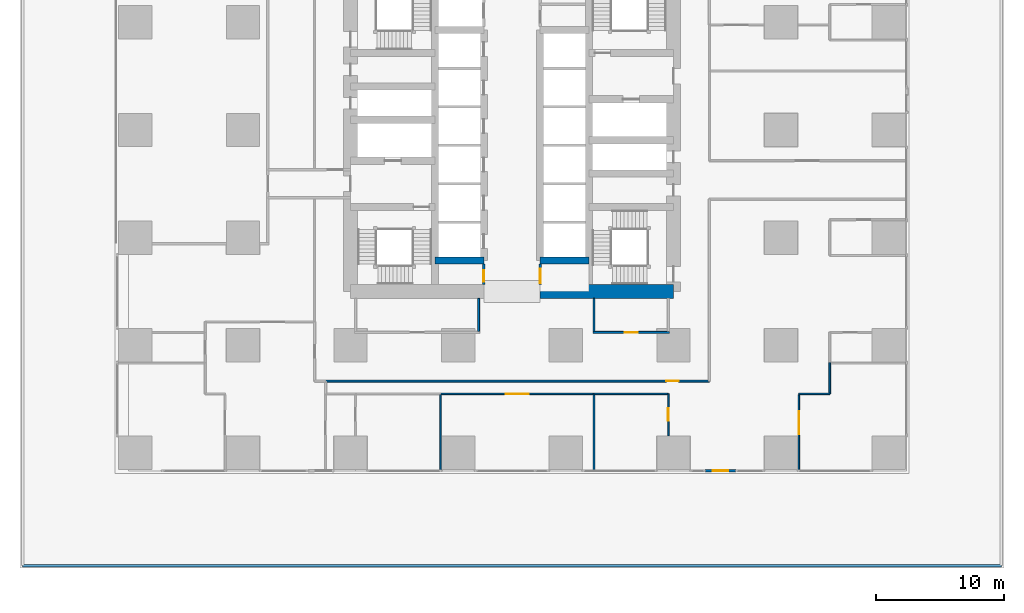
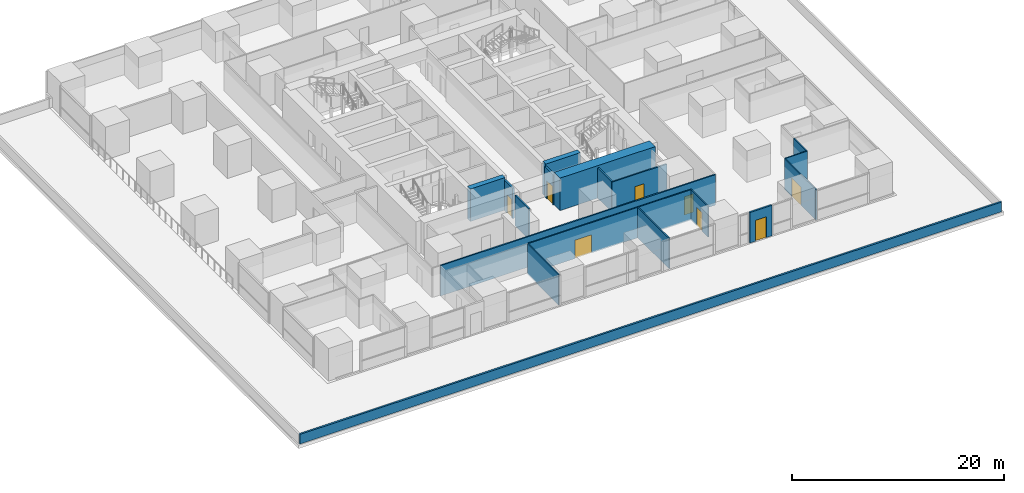
# One storey, part 21 of 35: 19 walls, 8 doors, 8 openings.
"""IFC4 building model written with IfcOpenShell, lengths in metres."""

from ifc_helpers import new_model, si_unit, direction, frame, frame_2d, origin, place, context, subcontext, project, spatial, rectangle, extrude, material, layer, layer_set, type_object, element, fill, save


model = new_model("IFC4")

# Units and contexts
model_context = context("Model", 3, precision=1e-05, world=origin(), true_north=direction((0.0, 1.0)))
body_context = subcontext(model_context, "Body", "Model", "MODEL_VIEW")
ifc_project = project(units=[si_unit("LENGTHUNIT", "METRE"), si_unit("AREAUNIT", "SQUARE_METRE"), si_unit("VOLUMEUNIT", "CUBIC_METRE"), si_unit("PLANEANGLEUNIT", "RADIAN"), si_unit("MASSUNIT", "GRAM", prefix="KILO")], contexts=[model_context])

# Site, building, storey
site_placement = place(None, origin())
site = spatial("IfcSite", under=ifc_project, at=site_placement, CompositionType="ELEMENT")
building_placement = place(site_placement, origin())
building = spatial("IfcBuilding", under=site, at=building_placement, Name="Rekha Terrace Tower", CompositionType="ELEMENT")
storey_placement = place(building_placement, frame((0.0, 0.0, 25.39990234375)))
storey = spatial("IfcBuildingStorey", under=building, at=storey_placement, Name="L05", CompositionType="ELEMENT", Elevation=25.39990234375)

# Walls
ifc_material_1 = material(Name="Concrete M70", Category="concrete")
ifc_layer_1 = layer(ifc_material_1, 0.550048828125)
ifc_layer_set_1 = layer_set([ifc_layer_1], Name="Concrete M70")
wall_type_1 = type_object("IfcWallType", Name="CI1 550 core internal shear wall", PredefinedType="SHEAR", material=ifc_layer_set_1)
for number, where, z_axis, x_axis, name in (
    (1, (31.800048828125, 23.39990234375, 0.0), (0.0, 0.0, 1.0), (1.0, 0.0, 0.0), "Core wall Y234W L05"),
    (2, (40.0, 23.39990234375, 0.0), (0.0, 0.0, 1.0), (1.0, 0.0, 0.0), "Core wall Y234E L05"),
):
    element("IfcWall", number, at=place(storey_placement, frame(where, z_axis=z_axis, x_axis=x_axis)), inside=storey, type_object=wall_type_1, Name=name, PredefinedType="SHEAR", context=body_context, shape_type="SweptSolid", body=[
        extrude(rectangle(XDim=3.800048828125, YDim=0.550048828125, at=frame_2d((1.89990234375, 0.0))), origin(), (0.0, 0.0, 1.0), 3.75),
    ])

# Wall, opening, door
ifc_material_2 = material(Name="Aluminium-faced insulated screen wall", Category="aluminium")
ifc_layer_2 = layer(ifc_material_2, 0.199951171875)
ifc_layer_set_2 = layer_set([ifc_layer_2], Name="Aluminium-faced insulated screen wall")
wall_type_2 = type_object("IfcWallType", Name="EW3 terrace door screen wall 200", PredefinedType="SOLIDWALL", material=ifc_layer_set_2)
wall_1_placement = place(storey_placement, frame((52.875, 7.0, 0.0), z_axis=(0.0, 0.0, 1.0), x_axis=(1.0, 0.0, 0.0)))
wall_1 = element("IfcWall", 3, at=wall_1_placement, inside=storey, type_object=wall_type_2, Name="Terrace door screen wall", PredefinedType="SOLIDWALL", context=body_context, shape_type="SweptSolid", body=[
    extrude(rectangle(XDim=2.39990234375, YDim=0.199951171875, at=frame_2d((1.199951171875, 0.0))), origin(), (0.0, 0.0, 1.0), 3.5),
])
opening_1_placement = place(wall_1_placement, frame((0.60009765625, 0.0, 0.0)))
opening_1 = element("IfcOpeningElement", 4, at=opening_1_placement, cuts=wall_1, Name="Opening ED4", PredefinedType="OPENING", context=body_context, shape_type="SweptSolid", body=[
    extrude(rectangle(XDim=1.199951171875, YDim=2.39990234375, at=frame_2d((0.60009765625, 1.199951171875))), frame((0.0, 0.10986328125, 0.0), z_axis=(0.0, -1.0, 0.0), x_axis=(1.0, 0.0, 0.0)), (0.0, 0.0, 1.0), 0.219970703125),
])
ifc_material_3 = material(Name="Aluminium framed laminated glass door", Category="aluminium")
door_type_1 = type_object("IfcDoorType", Name="ED4 glazed terrace door 1200 x 2400", OperationType="SINGLE_SWING_LEFT", PredefinedType="DOOR", material=ifc_material_3)
door_1_placement = place(opening_1_placement, origin())
door_1 = element("IfcDoor", 5, at=door_1_placement, inside=storey, type_object=door_type_1, Name="Terrace door", OperationType="SINGLE_SWING_LEFT", OverallHeight=2.39990234375, OverallWidth=1.199951171875, PredefinedType="DOOR", context=body_context, shape_type="SweptSolid", body=[
    extrude(rectangle(XDim=1.199951171875, YDim=2.39990234375, at=frame_2d((0.60009765625, 1.199951171875))), frame((0.0, 0.02490234375, 0.0), z_axis=(0.0, -1.0, 0.0), x_axis=(1.0, 0.0, 0.0)), (0.0, 0.0, 1.0), 0.050048828125),
])
fill(opening_1, door_1)

# Walls
ifc_material_4 = material(Name="Concrete M40", Category="concrete")
ifc_layer_3 = layer(ifc_material_4, 0.199951171875)
ifc_layer_set_3 = layer_set([ifc_layer_3], Name="Concrete M40")
wall_type_3 = type_object("IfcWallType", Name="PP1 parapet wall 200", PredefinedType="PARAPET", material=ifc_layer_set_3)
wall_2_placement = place(storey_placement, frame((-0.39990234375, -0.39990234375, 0.0), z_axis=(0.0, 0.0, 1.0), x_axis=(1.0, 0.0, 0.0)))
element("IfcWall", 6, at=wall_2_placement, inside=storey, type_object=wall_type_3, Name="Podium roof parapet", PredefinedType="PARAPET", context=body_context, shape_type="SweptSolid", body=[
    extrude(rectangle(XDim=76.39990234375, YDim=0.199951171875, at=frame_2d((38.199951171875, 0.0))), origin(), (0.0, 0.0, 1.0), 1.10009765625),
])
ifc_layer_4 = layer(ifc_material_1, 1.10009765625)
ifc_layer_set_4 = layer_set([ifc_layer_4], Name="Concrete M70")
wall_type_4 = type_object("IfcWallType", Name="SW1 1100 core outer shear wall", PredefinedType="SHEAR", material=ifc_layer_set_4)
wall_3_placement = place(storey_placement, frame((40.0, 21.0, 0.0), z_axis=(0.0, 0.0, 1.0), x_axis=(1.0, 0.0, 0.0)))
element("IfcWall", 7, at=wall_3_placement, inside=storey, type_object=wall_type_4, Name="Core wall S2 L05", PredefinedType="SHEAR", context=body_context, shape_type="SweptSolid", body=[
    extrude(rectangle(XDim=10.39990234375, YDim=1.10009765625, at=frame_2d((5.199951171875, 0.0))), origin(), (0.0, 0.0, 1.0), 3.75),
])
ifc_material_5 = material(Name="Concrete block masonry, 1 hour", Category="masonry")
ifc_layer_5 = layer(ifc_material_5, 0.14990234375)
ifc_layer_set_5 = layer_set([ifc_layer_5], Name="Concrete block masonry, 1 hour")
wall_type_5 = type_object("IfcWallType", Name="WP2 150 tenancy partition", PredefinedType="PARTITIONING", material=ifc_layer_set_5)
wall_4_placement = place(storey_placement, frame((35.199951171875, 17.875, 0.0), z_axis=(0.0, 0.0, 1.0), x_axis=(0.0, 1.0, 0.0)))
element("IfcWall", 8, at=wall_4_placement, inside=storey, type_object=wall_type_5, Name="Men's WC wall L05", PredefinedType="PARTITIONING", context=body_context, shape_type="SweptSolid", body=[
    extrude(rectangle(XDim=2.574951171875, YDim=0.14990234375, at=frame_2d((1.28759765625, 0.0))), origin(), (0.0, 0.0, 1.0), 3.5),
])

# Wall, opening, door
wall_5_placement = place(storey_placement, frame((44.125, 17.800048828125, 0.0), z_axis=(0.0, 0.0, 1.0), x_axis=(1.0, 0.0, 0.0)))
wall_5 = element("IfcWall", 9, at=wall_5_placement, inside=storey, type_object=wall_type_5, Name="Men's WC wall L05", PredefinedType="PARTITIONING", context=body_context, shape_type="SweptSolid", body=[
    extrude(rectangle(XDim=5.949951171875, YDim=0.14990234375, at=frame_2d((2.97509765625, 0.0))), origin(), (0.0, 0.0, 1.0), 3.5),
])
opening_2_placement = place(wall_5_placement, frame((2.47509765625, 0.0, 0.0)))
opening_2 = element("IfcOpeningElement", 10, at=opening_2_placement, cuts=wall_5, Name="Opening D3", PredefinedType="OPENING", context=body_context, shape_type="SweptSolid", body=[
    extrude(rectangle(XDim=1.0, YDim=2.10009765625, at=frame_2d((0.5, 1.050048828125))), frame((0.0, 0.0849609375, 0.0), z_axis=(0.0, -1.0, 0.0), x_axis=(1.0, 0.0, 0.0)), (0.0, 0.0, 1.0), 0.169921875),
])
ifc_material_6 = material(Name="Laminated timber fire door", Category="wood")
door_type_2 = type_object("IfcDoorType", Name="D3 1000x2100 WC door", OperationType="SINGLE_SWING_LEFT", PredefinedType="DOOR", material=ifc_material_6)
door_2_placement = place(opening_2_placement, origin())
door_2 = element("IfcDoor", 11, at=door_2_placement, inside=storey, type_object=door_type_2, Name="Door men's wc L05", OperationType="SINGLE_SWING_LEFT", OverallHeight=2.10009765625, OverallWidth=1.0, PredefinedType="DOOR", context=body_context, shape_type="SweptSolid", body=[
    extrude(rectangle(XDim=1.0, YDim=2.10009765625, at=frame_2d((0.5, 1.050048828125))), frame((0.0, 0.02490234375, 0.0), z_axis=(0.0, -1.0, 0.0), x_axis=(1.0, 0.0, 0.0)), (0.0, 0.0, 1.0), 0.050048828125),
])
fill(opening_2, door_2)

# Wall
wall_6_placement = place(storey_placement, frame((44.199951171875, 17.875, 0.0), z_axis=(0.0, 0.0, 1.0), x_axis=(0.0, 1.0, 0.0)))
element("IfcWall", 12, at=wall_6_placement, inside=storey, type_object=wall_type_5, Name="Men's WC wall L05", PredefinedType="PARTITIONING", context=body_context, shape_type="SweptSolid", body=[
    extrude(rectangle(XDim=2.574951171875, YDim=0.14990234375, at=frame_2d((1.28759765625, 0.0))), origin(), (0.0, 0.0, 1.0), 3.5),
])

# Wall, opening, door
wall_7_placement = place(storey_placement, frame((23.2509765625, 14.0, 0.0), z_axis=(0.0, 0.0, 1.0), x_axis=(1.0, 0.0, 0.0)))
wall_7 = element("IfcWall", 13, at=wall_7_placement, inside=storey, type_object=wall_type_5, Name="Partition L05-O1", PredefinedType="PARTITIONING", context=body_context, shape_type="SweptSolid", body=[
    extrude(rectangle(XDim=29.948974609375, YDim=0.14990234375, at=frame_2d((14.974609375, 0.0))), origin(), (0.0, 0.0, 1.0), 3.5),
])
opening_3_placement = place(wall_7_placement, frame((26.574951171875, 0.0, 0.0)))
opening_3 = element("IfcOpeningElement", 14, at=opening_3_placement, cuts=wall_7, Name="Opening D9", PredefinedType="OPENING", context=body_context, shape_type="SweptSolid", body=[
    extrude(rectangle(XDim=1.0, YDim=2.10009765625, at=frame_2d((0.5, 1.050048828125))), frame((0.0, 0.0849609375, 0.0), z_axis=(0.0, -1.0, 0.0), x_axis=(1.0, 0.0, 0.0)), (0.0, 0.0, 1.0), 0.169921875),
])
ifc_material_7 = material(Name="Timber fire door", Category="wood")
door_type_3 = type_object("IfcDoorType", Name="D9 1000x2100 office door", OperationType="SINGLE_SWING_LEFT", PredefinedType="DOOR", material=ifc_material_7)
door_3_placement = place(opening_3_placement, origin())
door_3 = element("IfcDoor", 15, at=door_3_placement, inside=storey, type_object=door_type_3, Name="Door open-plan office L05", OperationType="SINGLE_SWING_LEFT", OverallHeight=2.10009765625, OverallWidth=1.0, PredefinedType="DOOR", context=body_context, shape_type="SweptSolid", body=[
    extrude(rectangle(XDim=1.0, YDim=2.10009765625, at=frame_2d((0.5, 1.050048828125))), frame((0.0, 0.02490234375, 0.0), z_axis=(0.0, -1.0, 0.0), x_axis=(1.0, 0.0, 0.0)), (0.0, 0.0, 1.0), 0.050048828125),
])
fill(opening_3, door_3)

ifc_material_8 = material(Name="Two layers of fire-rated gypsum board each side on steel studs, acoustic quilt, 1 hour", Category="steel")
ifc_layer_6 = layer(ifc_material_8, 0.125)
ifc_layer_set_6 = layer_set([ifc_layer_6], Name="Two layers of fire-rated gypsum board each side on steel studs, acoustic quilt, 1 hour")
wall_type_6 = type_object("IfcWallType", Name="WP3 125 office partition", PredefinedType="PARTITIONING", material=ifc_layer_set_6)
wall_8_placement = place(storey_placement, frame((32.236083984375, 13.0, 0.0), z_axis=(0.0, 0.0, 1.0), x_axis=(1.0, 0.0, 0.0)))
wall_8 = element("IfcWall", 16, at=wall_8_placement, inside=storey, type_object=wall_type_6, Name="Partition L05-02", PredefinedType="PARTITIONING", context=body_context, shape_type="SweptSolid", body=[
    extrude(rectangle(XDim=11.9638671875, YDim=0.125, at=frame_2d((5.98193359375, 0.0))), origin(), (0.0, 0.0, 1.0), 3.5),
])
opening_4_placement = place(wall_8_placement, frame((5.08203125, 0.0, 0.0)))
opening_4 = element("IfcOpeningElement", 17, at=opening_4_placement, cuts=wall_8, Name="Opening D8", PredefinedType="OPENING", context=body_context, shape_type="SweptSolid", body=[
    extrude(rectangle(XDim=1.800048828125, YDim=2.10009765625, at=frame_2d((0.89990234375, 1.050048828125))), frame((0.0, 0.072509765625, 0.0), z_axis=(0.0, -1.0, 0.0), x_axis=(1.0, 0.0, 0.0)), (0.0, 0.0, 1.0), 0.14501953125),
])
door_type_4 = type_object("IfcDoorType", Name="D8 1800x2100 double leaf door", OperationType="DOUBLE_DOOR_SINGLE_SWING", PredefinedType="DOOR", material=ifc_material_7)
door_4_placement = place(opening_4_placement, origin())
door_4 = element("IfcDoor", 18, at=door_4_placement, inside=storey, type_object=door_type_4, Name="Door training and meeting room L05", OperationType="DOUBLE_DOOR_SINGLE_SWING", OverallHeight=2.10009765625, OverallWidth=1.800048828125, PredefinedType="DOOR", context=body_context, shape_type="SweptSolid", body=[
    extrude(rectangle(XDim=1.800048828125, YDim=2.10009765625, at=frame_2d((0.89990234375, 1.050048828125))), frame((0.0, 0.02490234375, 0.0), z_axis=(0.0, -1.0, 0.0), x_axis=(1.0, 0.0, 0.0)), (0.0, 0.0, 1.0), 0.050048828125),
])
fill(opening_4, door_4)

# Walls
wall_9_placement = place(storey_placement, frame((44.199951171875, 13.0, 0.0), z_axis=(0.0, 0.0, 1.0), x_axis=(0.0, -1.0, 0.0)))
element("IfcWall", 19, at=wall_9_placement, inside=storey, type_object=wall_type_6, Name="Partition L05-02", PredefinedType="PARTITIONING", context=body_context, shape_type="SweptSolid", body=[
    extrude(rectangle(XDim=5.949951171875, YDim=0.125, at=frame_2d((2.97509765625, 0.0))), origin(), (0.0, 0.0, 1.0), 3.5),
])
wall_10_placement = place(storey_placement, frame((32.2080078125, 7.080078125, 0.0), z_axis=(0.0, 0.0, 1.0), x_axis=(0.0, 1.0, 0.0)))
element("IfcWall", 20, at=wall_10_placement, inside=storey, type_object=wall_type_6, Name="Partition L05-02", PredefinedType="PARTITIONING", context=body_context, shape_type="SweptSolid", body=[
    extrude(rectangle(XDim=5.85791015625, YDim=0.125, at=frame_2d((2.928955078125, 0.0))), origin(), (0.0, 0.0, 1.0), 3.5),
])
wall_11_placement = place(storey_placement, frame((44.200927734375, 13.0, 0.0), z_axis=(0.0, 0.0, 1.0), x_axis=(1.0, 0.0, 0.0)))
element("IfcWall", 21, at=wall_11_placement, inside=storey, type_object=wall_type_6, Name="Partition L05-03", PredefinedType="PARTITIONING", context=body_context, shape_type="SweptSolid", body=[
    extrude(rectangle(XDim=5.799072265625, YDim=0.125, at=frame_2d((2.8994140625, 0.0))), origin(), (0.0, 0.0, 1.0), 3.5),
])

# Wall, opening, door
wall_12_placement = place(storey_placement, frame((50.0, 13.0, 0.0), z_axis=(0.0, 0.0, 1.0), x_axis=(0.0, -1.0, 0.0)))
wall_12 = element("IfcWall", 22, at=wall_12_placement, inside=storey, type_object=wall_type_6, Name="Partition L05-03", PredefinedType="PARTITIONING", context=body_context, shape_type="SweptSolid", body=[
    extrude(rectangle(XDim=3.280029296875, YDim=0.125, at=frame_2d((1.64013671875, 0.0))), origin(), (0.0, 0.0, 1.0), 3.5),
])
opening_5_placement = place(wall_12_placement, frame((1.10498046875, 0.0, 0.0)))
opening_5 = element("IfcOpeningElement", 23, at=opening_5_placement, cuts=wall_12, Name="Opening D9", PredefinedType="OPENING", context=body_context, shape_type="SweptSolid", body=[
    extrude(rectangle(XDim=1.0, YDim=2.10009765625, at=frame_2d((0.5, 1.050048828125))), frame((0.0, 0.072509765625, 0.0), z_axis=(0.0, -1.0, 0.0), x_axis=(1.0, 0.0, 0.0)), (0.0, 0.0, 1.0), 0.14501953125),
])
door_5_placement = place(opening_5_placement, origin())
door_5 = element("IfcDoor", 24, at=door_5_placement, inside=storey, type_object=door_type_3, Name="Door breakout lounge L05", OperationType="SINGLE_SWING_LEFT", OverallHeight=2.10009765625, OverallWidth=1.0, PredefinedType="DOOR", context=body_context, shape_type="SweptSolid", body=[
    extrude(rectangle(XDim=1.0, YDim=2.10009765625, at=frame_2d((0.5, 1.050048828125))), frame((0.0, 0.02490234375, 0.0), z_axis=(0.0, -1.0, 0.0), x_axis=(1.0, 0.0, 0.0)), (0.0, 0.0, 1.0), 0.050048828125),
])
fill(opening_5, door_5)

wall_13_placement = place(storey_placement, frame((60.19189453125, 7.080078125, 0.0), z_axis=(0.0, 0.0, 1.0), x_axis=(0.0, 1.0, 0.0)))
wall_13 = element("IfcWall", 25, at=wall_13_placement, inside=storey, type_object=wall_type_6, Name="Partition L05-04", PredefinedType="PARTITIONING", context=body_context, shape_type="SweptSolid", body=[
    extrude(rectangle(XDim=5.85791015625, YDim=0.125, at=frame_2d((2.928955078125, 0.0))), origin(), (0.0, 0.0, 1.0), 3.5),
])
opening_6_placement = place(wall_13_placement, frame((2.760009765625, 0.0, 0.0)))
opening_6 = element("IfcOpeningElement", 26, at=opening_6_placement, cuts=wall_13, Name="Opening D8", PredefinedType="OPENING", context=body_context, shape_type="SweptSolid", body=[
    extrude(rectangle(XDim=1.800048828125, YDim=2.10009765625, at=frame_2d((0.89990234375, 1.050048828125))), frame((0.0, 0.072509765625, 0.0), z_axis=(0.0, -1.0, 0.0), x_axis=(1.0, 0.0, 0.0)), (0.0, 0.0, 1.0), 0.14501953125),
])
door_6_placement = place(opening_6_placement, origin())
door_6 = element("IfcDoor", 27, at=door_6_placement, inside=storey, type_object=door_type_4, Name="Door business lounge L05", OperationType="DOUBLE_DOOR_SINGLE_SWING", OverallHeight=2.10009765625, OverallWidth=1.800048828125, PredefinedType="DOOR", context=body_context, shape_type="SweptSolid", body=[
    extrude(rectangle(XDim=1.800048828125, YDim=2.10009765625, at=frame_2d((0.89990234375, 1.050048828125))), frame((0.0, 0.02490234375, 0.0), z_axis=(0.0, -1.0, 0.0), x_axis=(1.0, 0.0, 0.0)), (0.0, 0.0, 1.0), 0.050048828125),
])
fill(opening_6, door_6)

# Walls
wall_14_placement = place(storey_placement, frame((60.166015625, 13.0, 0.0), z_axis=(0.0, 0.0, 1.0), x_axis=(1.0, 0.0, 0.0)))
element("IfcWall", 28, at=wall_14_placement, inside=storey, type_object=wall_type_6, Name="Partition L05-04", PredefinedType="PARTITIONING", context=body_context, shape_type="SweptSolid", body=[
    extrude(rectangle(XDim=2.43408203125, YDim=0.125, at=frame_2d((1.217041015625, 0.0))), origin(), (0.0, 0.0, 1.0), 3.5),
])
wall_15_placement = place(storey_placement, frame((62.60009765625, 13.0, 0.0), z_axis=(0.0, 0.0, 1.0), x_axis=(0.0, 1.0, 0.0)))
element("IfcWall", 29, at=wall_15_placement, inside=storey, type_object=wall_type_6, Name="Partition L05-04", PredefinedType="PARTITIONING", context=body_context, shape_type="SweptSolid", body=[
    extrude(rectangle(XDim=2.43505859375, YDim=0.125, at=frame_2d((1.217529296875, 0.0))), origin(), (0.0, 0.0, 1.0), 3.5),
])

# Wall, opening, door
ifc_material_9 = material(Name="Solid concrete block masonry, 2 hour", Category="masonry")
ifc_layer_7 = layer(ifc_material_9, 0.199951171875)
ifc_layer_set_7 = layer_set([ifc_layer_7], Name="Solid concrete block masonry, 2 hour")
wall_type_7 = type_object("IfcWallType", Name="WS1 200 stair and shaft enclosure", PredefinedType="PARTITIONING", material=ifc_layer_set_7)
wall_16_placement = place(storey_placement, frame((40.0, 21.550048828125, 0.0), z_axis=(0.0, 0.0, 1.0), x_axis=(0.0, 1.0, 0.0)))
wall_16 = element("IfcWall", 30, at=wall_16_placement, inside=storey, type_object=wall_type_7, Name="Core partition wca L05", PredefinedType="PARTITIONING", context=body_context, shape_type="SweptSolid", body=[
    extrude(rectangle(XDim=1.574951171875, YDim=0.199951171875, at=frame_2d((0.78759765625, 0.0))), origin(), (0.0, 0.0, 1.0), 3.5),
])
opening_7_placement = place(wall_16_placement, frame((0.10009765625, 0.0, 0.0)))
opening_7 = element("IfcOpeningElement", 31, at=opening_7_placement, cuts=wall_16, Name="Opening D4", PredefinedType="OPENING", context=body_context, shape_type="SweptSolid", body=[
    extrude(rectangle(XDim=1.10009765625, YDim=2.10009765625, at=frame_2d((0.550048828125, 1.050048828125))), frame((0.0, 0.10986328125, 0.0), z_axis=(0.0, -1.0, 0.0), x_axis=(1.0, 0.0, 0.0)), (0.0, 0.0, 1.0), 0.219970703125),
])
door_type_5 = type_object("IfcDoorType", Name="D4 1100x2100 accessible WC door", OperationType="SLIDING_TO_LEFT", PredefinedType="DOOR", material=ifc_material_6)
door_7_placement = place(opening_7_placement, origin())
door_7 = element("IfcDoor", 32, at=door_7_placement, inside=storey, type_object=door_type_5, Name="Door wca L05", OperationType="SLIDING_TO_LEFT", OverallHeight=2.10009765625, OverallWidth=1.10009765625, PredefinedType="DOOR", context=body_context, shape_type="SweptSolid", body=[
    extrude(rectangle(XDim=1.10009765625, YDim=2.10009765625, at=frame_2d((0.550048828125, 1.050048828125))), frame((0.0, 0.02490234375, 0.0), z_axis=(0.0, -1.0, 0.0), x_axis=(1.0, 0.0, 0.0)), (0.0, 0.0, 1.0), 0.050048828125),
])
fill(opening_7, door_7)

wall_17_placement = place(storey_placement, frame((35.60009765625, 21.550048828125, 0.0), z_axis=(0.0, 0.0, 1.0), x_axis=(0.0, 1.0, 0.0)))
wall_17 = element("IfcWall", 33, at=wall_17_placement, inside=storey, type_object=wall_type_7, Name="Core partition west L05", PredefinedType="PARTITIONING", context=body_context, shape_type="SweptSolid", body=[
    extrude(rectangle(XDim=1.574951171875, YDim=0.199951171875, at=frame_2d((0.78759765625, 0.0))), origin(), (0.0, 0.0, 1.0), 3.5),
])
opening_8_placement = place(wall_17_placement, frame((0.199951171875, 0.0, 0.0)))
opening_8 = element("IfcOpeningElement", 34, at=opening_8_placement, cuts=wall_17, Name="Opening D5", PredefinedType="OPENING", context=body_context, shape_type="SweptSolid", body=[
    extrude(rectangle(XDim=0.89990234375, YDim=2.10009765625, at=frame_2d((0.449951171875, 1.050048828125))), frame((0.0, 0.10986328125, 0.0), z_axis=(0.0, -1.0, 0.0), x_axis=(1.0, 0.0, 0.0)), (0.0, 0.0, 1.0), 0.219970703125),
])
ifc_material_10 = material(Name="Steel fire door", Category="steel")
door_type_6 = type_object("IfcDoorType", Name="D5 900x2100 riser access door", OperationType="SINGLE_SWING_LEFT", PredefinedType="DOOR", material=ifc_material_10)
door_8_placement = place(opening_8_placement, origin())
door_8 = element("IfcDoor", 35, at=door_8_placement, inside=storey, type_object=door_type_6, Name="Door tenant store L05", OperationType="SINGLE_SWING_LEFT", OverallHeight=2.10009765625, OverallWidth=0.89990234375, PredefinedType="DOOR", context=body_context, shape_type="SweptSolid", body=[
    extrude(rectangle(XDim=0.89990234375, YDim=2.10009765625, at=frame_2d((0.449951171875, 1.050048828125))), frame((0.0, 0.02490234375, 0.0), z_axis=(0.0, -1.0, 0.0), x_axis=(1.0, 0.0, 0.0)), (0.0, 0.0, 1.0), 0.050048828125),
])
fill(opening_8, door_8)

save(model, "model.ifc")
